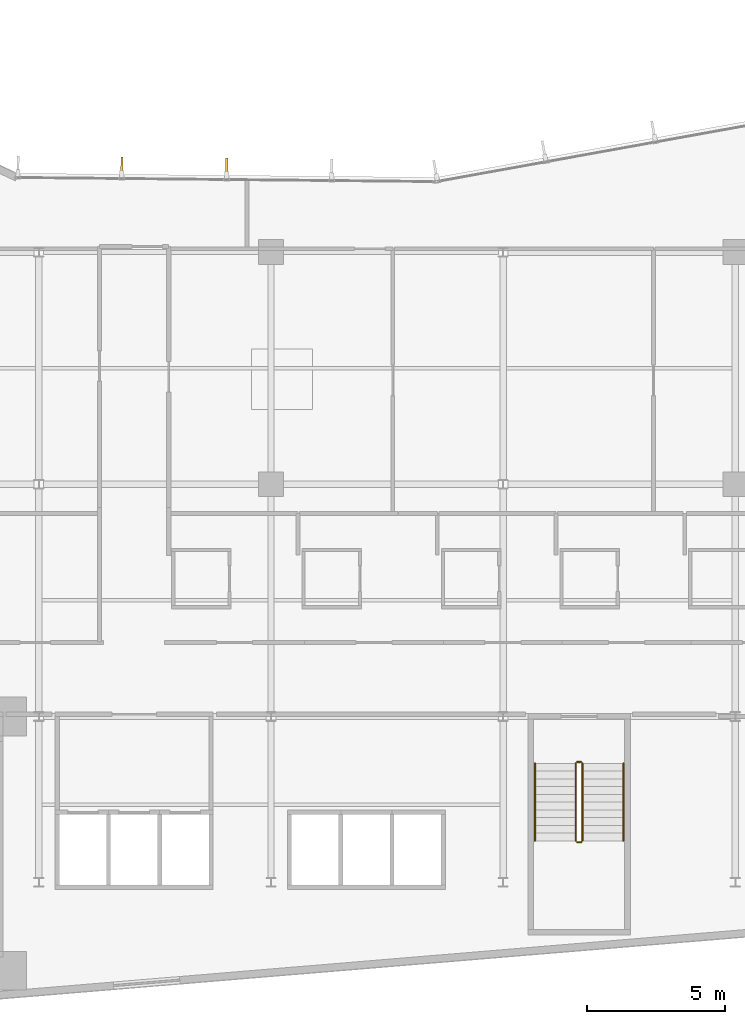
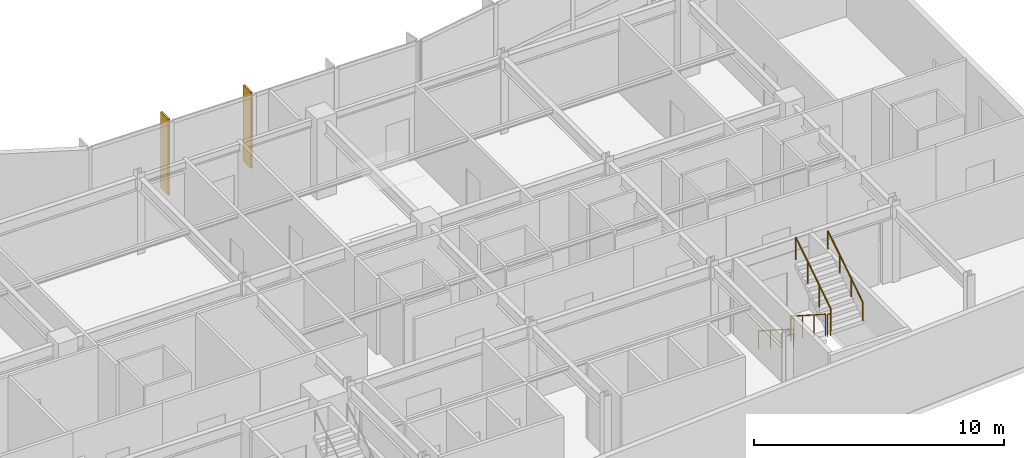
# One storey, part 16 of 19: 6 railings, 2 shading devices.
"""IFC4 building model written with IfcOpenShell, lengths in metres."""

from ifc_helpers import new_model, si_unit, direction, frame, origin, origin_2d, place, context, subcontext, project, spatial, rectangle, circle, extrude, material, layer, layer_set, type_object, element, save


model = new_model("IFC4")

# Units and contexts
model_context = context("Model", 3, precision=1e-05, world=origin(), true_north=direction((0.0, 1.0)))
body_context = subcontext(model_context, "Body", "Model", "MODEL_VIEW")
ifc_project = project(units=[si_unit("LENGTHUNIT", "METRE"), si_unit("AREAUNIT", "SQUARE_METRE"), si_unit("VOLUMEUNIT", "CUBIC_METRE"), si_unit("PLANEANGLEUNIT", "RADIAN"), si_unit("MASSUNIT", "GRAM", prefix="KILO")], contexts=[model_context])

# Site, building, storey
site_placement = place(None, origin())
site = spatial("IfcSite", under=ifc_project, at=site_placement, CompositionType="ELEMENT")
building_placement = place(site_placement, origin())
building = spatial("IfcBuilding", under=site, at=building_placement, Name="Varnakote Quay Hospital", CompositionType="ELEMENT")
storey_placement = place(building_placement, frame((0.0, 0.0, 54.10009765625)))
storey = spatial("IfcBuildingStorey", under=building, at=storey_placement, Name="L13", CompositionType="ELEMENT", Elevation=54.10009765625)

# Railings
ifc_material_1 = material(Name="Brushed stainless steel balustrade", Category="steel")
railing_type_1 = type_object("IfcRailingType", Name="RLG-STAIR-GUARD-1150", PredefinedType="GUARDRAIL", material=ifc_material_1)
railing_1_placement = place(storey_placement, frame((44.6298828125, 10.300048828125, 0.179443359375)))
element("IfcRailing", 1, at=railing_1_placement, inside=storey, type_object=railing_type_1, Name="L13 ST-03 stair guard 1", PredefinedType="GUARDRAIL", context=body_context, shape_type="SweptSolid", body=[
    extrude(circle(Radius=0.02392578125, at=origin_2d()), frame((0.0, 0.0, 1.076171875), z_axis=(0.0, -0.841809871826, 0.539774156196), x_axis=(1.0, 0.0, 0.0)), (0.0, 0.0, 1.0), 3.326171875),
    extrude(circle(Radius=0.02099609375, at=origin_2d()), origin(), (0.0, 0.0, 1.0), 1.052001953125),
    extrude(circle(Radius=0.02099609375, at=origin_2d()), frame((0.0, -0.933349609375, 0.598388671875)), (0.0, 0.0, 1.0), 1.052001953125),
    extrude(circle(Radius=0.02099609375, at=origin_2d()), frame((0.0, -1.86669921875, 1.197021484375)), (0.0, 0.0, 1.0), 1.052001953125),
    extrude(circle(Radius=0.02099609375, at=origin_2d()), frame((0.0, -2.800048828125, 1.79541015625)), (0.0, 0.0, 1.0), 1.052001953125),
])
railing_2_placement = place(storey_placement, frame((44.679931640625, 7.449951171875, 1.974853515625)))
element("IfcRailing", 2, at=railing_2_placement, inside=storey, type_object=railing_type_1, Name="L13 ST-03 stair guard 2", PredefinedType="GUARDRAIL", context=body_context, shape_type="SweptSolid", body=[
    extrude(circle(Radius=0.02392578125, at=origin_2d()), frame((0.0, 0.0, 1.076171875), z_axis=(1.0, 0.0, 0.0), x_axis=(0.0, 1.0, 0.0)), (0.0, 0.0, 1.0), 0.14013671875),
    extrude(circle(Radius=0.02099609375, at=origin_2d()), origin(), (0.0, 0.0, 1.0), 1.052001953125),
    extrude(circle(Radius=0.02099609375, at=origin_2d()), frame((0.14013671875, 0.0, 0.0)), (0.0, 0.0, 1.0), 1.052001953125),
])
railing_3_placement = place(storey_placement, frame((44.8701171875, 7.5, 2.154541015625)))
element("IfcRailing", 3, at=railing_3_placement, inside=storey, type_object=railing_type_1, Name="L13 ST-03 stair guard 3", PredefinedType="GUARDRAIL", context=body_context, shape_type="SweptSolid", body=[
    extrude(circle(Radius=0.02392578125, at=origin_2d()), frame((0.0, 0.0, 1.076171875), z_axis=(0.0, 0.841809871826, 0.539774156196), x_axis=(-1.0, 0.0, 0.0)), (0.0, 0.0, 1.0), 3.326171875),
    extrude(circle(Radius=0.02099609375, at=origin_2d()), origin(), (0.0, 0.0, 1.0), 1.052001953125),
    extrude(circle(Radius=0.02099609375, at=origin_2d()), frame((0.0, 0.933349609375, 0.598388671875)), (0.0, 0.0, 1.0), 1.052001953125),
    extrude(circle(Radius=0.02099609375, at=origin_2d()), frame((0.0, 1.86669921875, 1.197021484375)), (0.0, 0.0, 1.0), 1.052001953125),
    extrude(circle(Radius=0.02099609375, at=origin_2d()), frame((0.0, 2.800048828125, 1.79541015625)), (0.0, 0.0, 1.0), 1.052001953125),
])
railing_4_placement = place(storey_placement, frame((44.679931640625, 10.35009765625, 0.0)))
element("IfcRailing", 4, at=railing_4_placement, inside=storey, type_object=railing_type_1, Name="L13 ST-03 stair guard 4", PredefinedType="GUARDRAIL", context=body_context, shape_type="SweptSolid", body=[
    extrude(circle(Radius=0.02392578125, at=origin_2d()), frame((0.0, 0.0, 1.076171875), z_axis=(1.0, 0.0, 0.0), x_axis=(0.0, 1.0, 0.0)), (0.0, 0.0, 1.0), 0.14013671875),
    extrude(circle(Radius=0.02099609375, at=origin_2d()), origin(), (0.0, 0.0, 1.0), 1.052001953125),
    extrude(circle(Radius=0.02099609375, at=origin_2d()), frame((0.14013671875, 0.0, 0.0)), (0.0, 0.0, 1.0), 1.052001953125),
])
ifc_material_2 = material(Name="Brushed stainless steel handrail", Category="steel")
railing_type_2 = type_object("IfcRailingType", Name="RLG-STAIR-HND-920", PredefinedType="HANDRAIL", material=ifc_material_2)
railing_5_placement = place(storey_placement, frame((43.14990234375, 10.300048828125, 0.179443359375)))
element("IfcRailing", 5, at=railing_5_placement, inside=storey, type_object=railing_type_2, Name="L13 ST-03 stair handrail 1", PredefinedType="HANDRAIL", context=body_context, shape_type="SweptSolid", body=[
    extrude(circle(Radius=0.02392578125, at=origin_2d()), frame((0.0, 0.0, 0.8759765625), z_axis=(0.0, -0.841809871826, 0.539774156196), x_axis=(1.0, 0.0, 0.0)), (0.0, 0.0, 1.0), 3.326171875),
    extrude(circle(Radius=0.02099609375, at=origin_2d()), origin(), (0.0, 0.0, 1.0), 0.851806640625),
    extrude(circle(Radius=0.02099609375, at=origin_2d()), frame((0.0, -0.933349609375, 0.598388671875)), (0.0, 0.0, 1.0), 0.851806640625),
    extrude(circle(Radius=0.02099609375, at=origin_2d()), frame((0.0, -1.86669921875, 1.197021484375)), (0.0, 0.0, 1.0), 0.851806640625),
    extrude(circle(Radius=0.02099609375, at=origin_2d()), frame((0.0, -2.800048828125, 1.79541015625)), (0.0, 0.0, 1.0), 0.851806640625),
])
railing_6_placement = place(storey_placement, frame((46.35009765625, 7.5, 2.154541015625)))
element("IfcRailing", 6, at=railing_6_placement, inside=storey, type_object=railing_type_2, Name="L13 ST-03 stair handrail 2", PredefinedType="HANDRAIL", context=body_context, shape_type="SweptSolid", body=[
    extrude(circle(Radius=0.02392578125, at=origin_2d()), frame((0.0, 0.0, 0.8759765625), z_axis=(0.0, 0.841809871826, 0.539774156196), x_axis=(-1.0, 0.0, 0.0)), (0.0, 0.0, 1.0), 3.326171875),
    extrude(circle(Radius=0.02099609375, at=origin_2d()), origin(), (0.0, 0.0, 1.0), 0.851806640625),
    extrude(circle(Radius=0.02099609375, at=origin_2d()), frame((0.0, 0.933349609375, 0.598388671875)), (0.0, 0.0, 1.0), 0.851806640625),
    extrude(circle(Radius=0.02099609375, at=origin_2d()), frame((0.0, 1.86669921875, 1.197021484375)), (0.0, 0.0, 1.0), 0.851806640625),
    extrude(circle(Radius=0.02099609375, at=origin_2d()), frame((0.0, 2.800048828125, 1.79541015625)), (0.0, 0.0, 1.0), 0.851806640625),
])

# Shading devices
ifc_material_3 = material(Name="Anodised aluminium 6063-T6 Bronze", Category="aluminium")
ifc_layer = layer(ifc_material_3, 0.0849609375)
ifc_layer_set = layer_set([ifc_layer], Name="Anodised aluminium 6063-T6 Bronze")
shading_device_type = type_object("IfcShadingDeviceType", Name="SHD-BRONZE-FIN-620", PredefinedType="USERDEFINED", material=ifc_layer_set)
for number, where, z_axis, x_axis, name in (
    (7, (32.003173828125, 31.88818359375, 0.0), (0.0, 0.0, 1.0), (-0.009773688199, -0.999952236369, 0.0), "L13 Anodised Bronze Vertical Shading FIN"),
    (8, (28.207763671875, 31.92529296875, 0.0), (0.0, 0.0, 1.0), (-0.009773688199, -0.999952236369, 0.0), "L13 Anodised Bronze Vertical Shading FIN"),
):
    element("IfcShadingDevice", number, at=place(storey_placement, frame(where, z_axis=z_axis, x_axis=x_axis)), inside=storey, type_object=shading_device_type, Name=name, ObjectType="FIN", PredefinedType="USERDEFINED", context=body_context, shape_type="SweptSolid", body=[
        extrude(rectangle(XDim=0.6201171875, YDim=0.0849609375, at=origin_2d()), origin(), (0.0, 0.0, 1.0), 3.7099609375),
    ])

save(model, "model.ifc")
